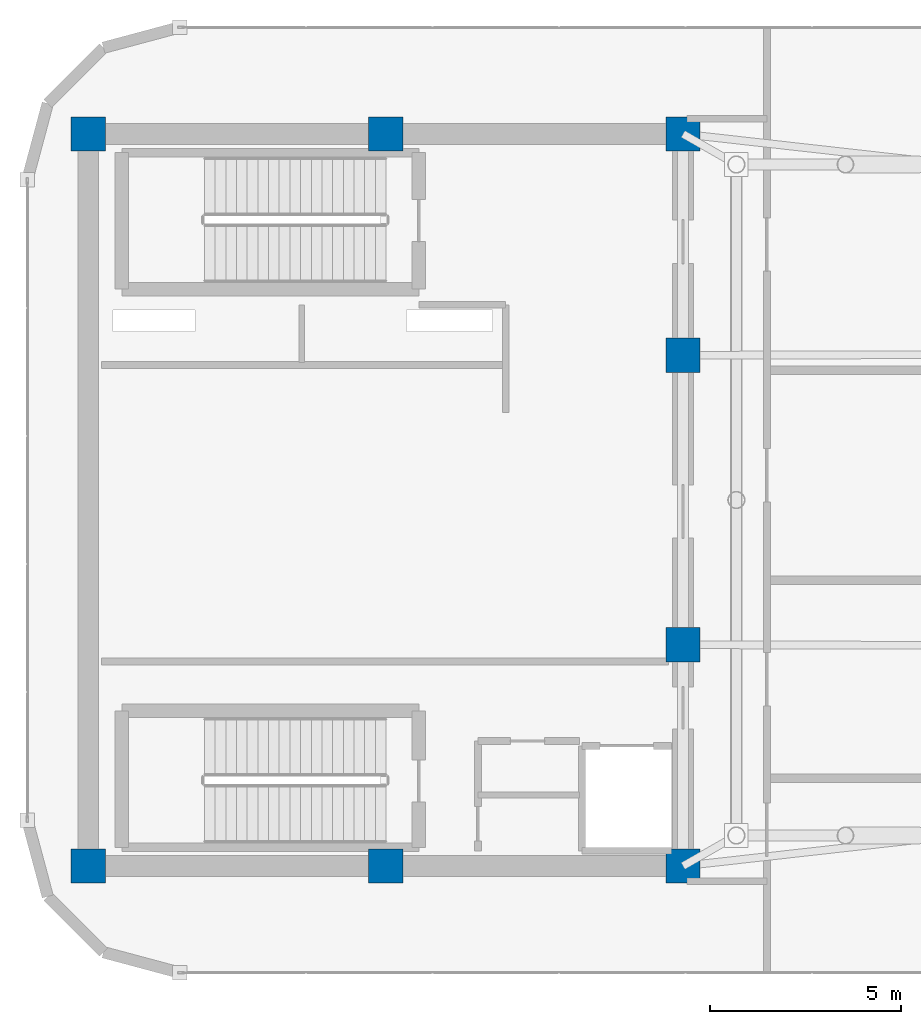
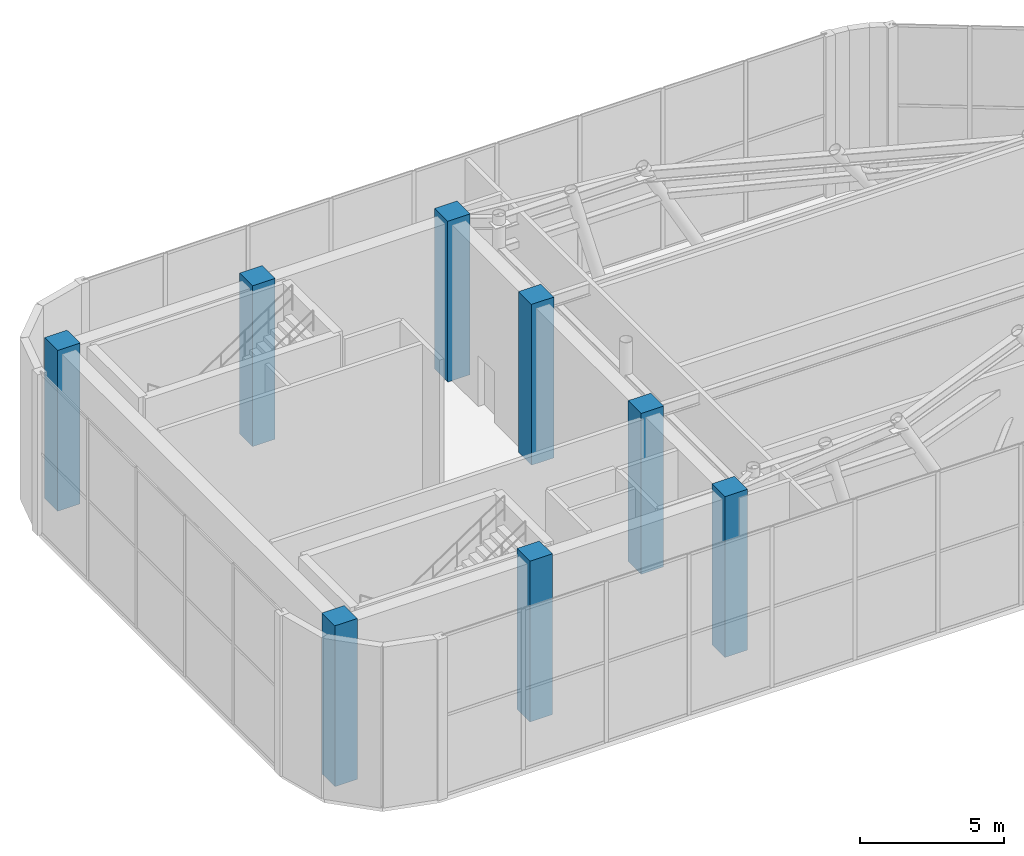
# One storey, part 1 of 24: 8 columns.
"""IFC4 building model written with IfcOpenShell, lengths in metres."""

from ifc_helpers import new_model, si_unit, direction, frame, origin, origin_2d, place, context, subcontext, project, spatial, rectangle, extrude, material, material_profile, profile_set, type_object, element, save


model = new_model("IFC4")

# Units and contexts
model_context = context("Model", 3, precision=1e-05, world=origin(), true_north=direction((0.0, 1.0)))
body_context = subcontext(model_context, "Body", "Model", "MODEL_VIEW")
ifc_project = project(units=[si_unit("LENGTHUNIT", "METRE"), si_unit("AREAUNIT", "SQUARE_METRE"), si_unit("VOLUMEUNIT", "CUBIC_METRE"), si_unit("PLANEANGLEUNIT", "RADIAN"), si_unit("MASSUNIT", "GRAM", prefix="KILO")], contexts=[model_context])

# Site, building, storey
site_placement = place(None, origin())
site = spatial("IfcSite", under=ifc_project, at=site_placement, CompositionType="ELEMENT")
building_placement = place(site_placement, origin())
building = spatial("IfcBuilding", under=site, at=building_placement, Name="An Khanh Terracotta Commons", CompositionType="ELEMENT")
storey_placement = place(building_placement, frame((0.0, 0.0, 315.199951171875)))
storey = spatial("IfcBuildingStorey", under=building, at=storey_placement, Name="L80 Crown Cooling Plant", CompositionType="ELEMENT", Elevation=315.199951171875)

# Columns
ifc_material = material(Name="Concrete C50/60", Category="concrete")
ifc_material_profile = material_profile(ifc_material, rectangle(XDim=0.89990234375, YDim=0.89990234375, at=origin_2d()), Name="RC900x900")
ifc_profile_set = profile_set([ifc_material_profile], Name="Concrete C50/60")
column_type = type_object("IfcColumnType", Name="COL-RC900x900", PredefinedType="COLUMN", material=ifc_profile_set)
for number, where, z_axis, x_axis, name in (
    (1, (21.60009765625, 14.39990234375, 0.0), (0.0, 0.0, 1.0), (1.0, 0.0, 0.0), "L80 Crown Cooling Plant Core Boundary Column CC-01"),
    (2, (29.39990234375, 14.39990234375, 0.0), (0.0, 0.0, 1.0), (1.0, 0.0, 0.0), "L80 Crown Cooling Plant Core Boundary Column CC-02"),
    (3, (37.199951171875, 14.39990234375, 0.0), (0.0, 0.0, 1.0), (1.0, 0.0, 0.0), "L80 Crown Cooling Plant Core Boundary Column CC-03"),
    (4, (37.199951171875, 20.199951171875, 0.0), (0.0, 0.0, 1.0), (1.0, 0.0, 0.0), "L80 Crown Cooling Plant Core Boundary Column CC-04"),
    (5, (37.199951171875, 27.800048828125, 0.0), (0.0, 0.0, 1.0), (1.0, 0.0, 0.0), "L80 Crown Cooling Plant Core Boundary Column CC-05"),
    (6, (37.199951171875, 33.60009765625, 0.0), (0.0, 0.0, 1.0), (1.0, 0.0, 0.0), "L80 Crown Cooling Plant Core Boundary Column CC-06"),
    (7, (29.39990234375, 33.60009765625, 0.0), (0.0, 0.0, 1.0), (1.0, 0.0, 0.0), "L80 Crown Cooling Plant Core Boundary Column CC-07"),
    (8, (21.60009765625, 33.60009765625, 0.0), (0.0, 0.0, 1.0), (1.0, 0.0, 0.0), "L80 Crown Cooling Plant Core Boundary Column CC-08"),
):
    element("IfcColumn", number, at=place(storey_placement, frame(where, z_axis=z_axis, x_axis=x_axis)), inside=storey, type_object=column_type, Name=name, PredefinedType="COLUMN", context=body_context, shape_type="SweptSolid", body=[
        extrude(rectangle(XDim=0.89990234375, YDim=0.89990234375, at=origin_2d()), origin(), (0.0, 0.0, 1.0), 6.800048828125),
    ])

save(model, "model.ifc")
